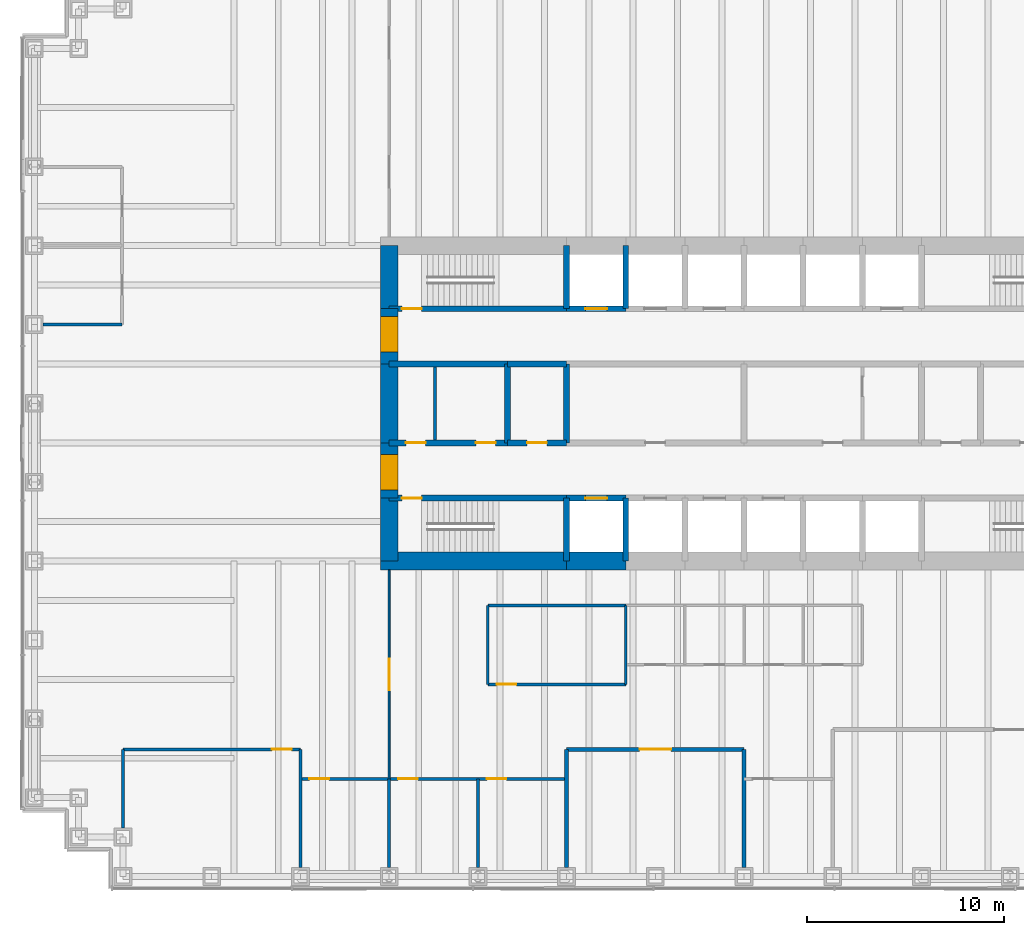
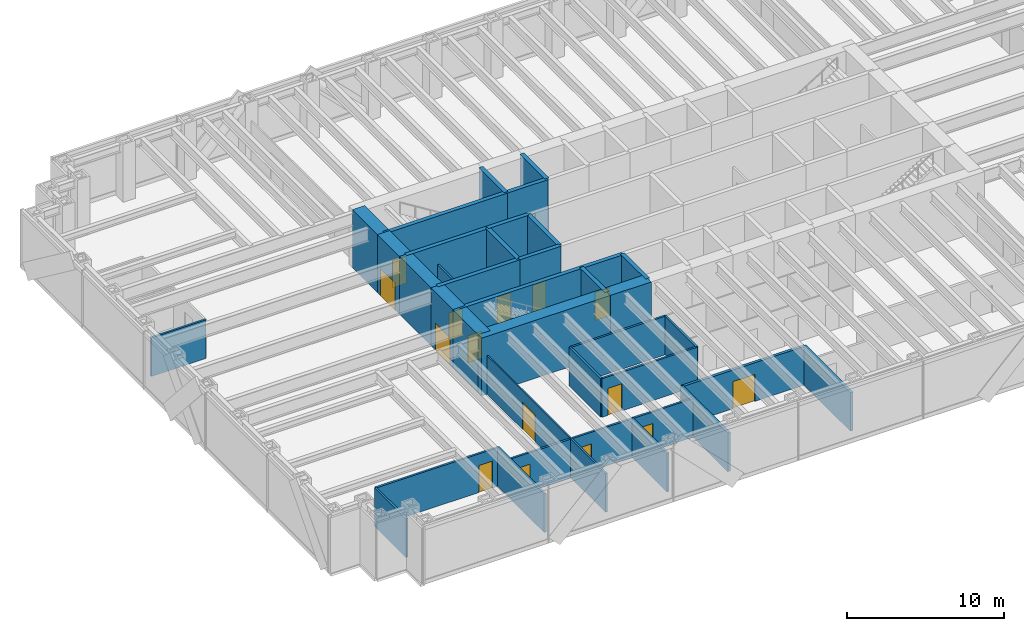
# One storey, part 9 of 13: 37 walls, 16 doors, 16 openings.
"""IFC4 building model written with IfcOpenShell, lengths in metres."""

from ifc_helpers import new_model, si_unit, direction, frame, frame_2d, origin, place, context, subcontext, project, spatial, rectangle, extrude, material, layer, layer_set, type_object, element, fill, save


model = new_model("IFC4")

# Units and contexts
model_context = context("Model", 3, precision=1e-05, world=origin(), true_north=direction((0.0, 1.0)))
body_context = subcontext(model_context, "Body", "Model", "MODEL_VIEW")
ifc_project = project(units=[si_unit("LENGTHUNIT", "METRE"), si_unit("AREAUNIT", "SQUARE_METRE"), si_unit("VOLUMEUNIT", "CUBIC_METRE"), si_unit("PLANEANGLEUNIT", "RADIAN"), si_unit("MASSUNIT", "GRAM", prefix="KILO")], contexts=[model_context])

# Site, building, storey
site_placement = place(None, origin())
site = spatial("IfcSite", under=ifc_project, at=site_placement, CompositionType="ELEMENT")
building_placement = place(site_placement, origin())
building = spatial("IfcBuilding", under=site, at=building_placement, Name="Rheinbord Bourse Tower", CompositionType="ELEMENT")
storey_placement = place(building_placement, frame((0.0, 0.0, 41.0)))
storey = spatial("IfcBuildingStorey", under=building, at=storey_placement, Name="L08", CompositionType="ELEMENT", Elevation=41.0)

# Wall, opening, door
ifc_material_1 = material(Name="Acoustic gypsum board partition", Category="gypsum board")
ifc_layer_1 = layer(ifc_material_1, 0.199951171875)
ifc_layer_set_1 = layer_set([ifc_layer_1], Name="ACOUSTIC PARTITION 200")
wall_type_1 = type_object("IfcWallType", Name="ACOUSTIC PARTITION 200", PredefinedType="PARTITIONING", material=ifc_layer_set_1)
wall_1_placement = place(storey_placement, frame((27.0, 6.449951171875, 0.0), z_axis=(0.0, 0.0, 1.0), x_axis=(1.0, 0.0, 0.0)))
wall_1 = element("IfcWall", 1, at=wall_1_placement, inside=storey, type_object=wall_type_1, Name="Partition L08-04", PredefinedType="PARTITIONING", context=body_context, shape_type="SweptSolid", body=[
    extrude(rectangle(XDim=9.0, YDim=0.199951171875, at=frame_2d((4.5, 0.0))), origin(), (0.0, 0.0, 1.0), 3.0),
])
opening_1_placement = place(wall_1_placement, frame((3.699951171875, 0.0, 0.0)))
opening_1 = element("IfcOpeningElement", 2, at=opening_1_placement, cuts=wall_1, Name="Opening 08D06", PredefinedType="OPENING", context=body_context, shape_type="SweptSolid", body=[
    extrude(rectangle(XDim=1.60009765625, YDim=2.10009765625, at=frame_2d((0.800048828125, 1.050048828125))), frame((0.0, 0.10986328125, 0.0), z_axis=(0.0, -1.0, 0.0), x_axis=(1.0, 0.0, 0.0)), (0.0, 0.0, 1.0), 0.219970703125),
])
ifc_material_2 = material(Name="Timber door", Category="wood")
door_type_1 = type_object("IfcDoorType", Name="DOUBLE ROOM DOOR 1600", OperationType="DOUBLE_DOOR_DOUBLE_SWING", PredefinedType="DOOR", material=ifc_material_2)
door_1_placement = place(opening_1_placement, origin())
door_1 = element("IfcDoor", 3, at=door_1_placement, inside=storey, type_object=door_type_1, Name="Risk room door L08", OperationType="SINGLE_SWING_LEFT", OverallHeight=2.10009765625, OverallWidth=1.60009765625, PredefinedType="DOOR", context=body_context, shape_type="SweptSolid", body=[
    extrude(rectangle(XDim=1.60009765625, YDim=2.10009765625, at=frame_2d((0.800048828125, 1.050048828125))), frame((0.0, 0.02490234375, 0.0), z_axis=(0.0, -1.0, 0.0), x_axis=(1.0, 0.0, 0.0)), (0.0, 0.0, 1.0), 0.050048828125),
])
fill(opening_1, door_1)

# Walls
for number, where, z_axis, x_axis, name in (
    (4, (27.0, 0.449951171875, 0.0), (0.0, 0.0, 1.0), (0.0, 1.0, 0.0), "Partition L08-28"),
    (5, (36.0, 0.449951171875, 0.0), (0.0, 0.0, 1.0), (0.0, 1.0, 0.0), "Partition L08-31"),
):
    element("IfcWall", number, at=place(storey_placement, frame(where, z_axis=z_axis, x_axis=x_axis)), inside=storey, type_object=wall_type_1, Name=name, PredefinedType="PARTITIONING", context=body_context, shape_type="SweptSolid", body=[
        extrude(rectangle(XDim=6.0, YDim=0.199951171875, at=frame_2d((3.0, 0.0))), origin(), (0.0, 0.0, 1.0), 3.0),
    ])

# Wall, opening, door
ifc_material_3 = material(Name="Concrete C50/60", Category="concrete")
ifc_layer_2 = layer(ifc_material_3, 0.300048828125)
ifc_layer_set_2 = layer_set([ifc_layer_2], Name="CORE INNER WALL 300")
wall_type_2 = type_object("IfcWallType", Name="CORE INNER WALL 300", PredefinedType="SOLIDWALL", material=ifc_layer_set_2)
wall_2_placement = place(storey_placement, frame((18.0, 19.199951171875, 0.0), z_axis=(0.0, 0.0, 1.0), x_axis=(1.0, 0.0, 0.0)))
wall_2 = element("IfcWall", 6, at=wall_2_placement, inside=storey, type_object=wall_type_2, Name="Core wall A1 L08", PredefinedType="SOLIDWALL", context=body_context, shape_type="SweptSolid", body=[
    extrude(rectangle(XDim=9.0, YDim=0.300048828125, at=frame_2d((4.5, 0.0))), origin(), (0.0, 0.0, 1.0), 4.5),
])
opening_2_placement = place(wall_2_placement, frame((0.64990234375, 0.0, 0.0)))
opening_2 = element("IfcOpeningElement", 7, at=opening_2_placement, cuts=wall_2, Name="Opening 0810", PredefinedType="OPENING", context=body_context, shape_type="SweptSolid", body=[
    extrude(rectangle(XDim=1.0, YDim=2.10009765625, at=frame_2d((0.5, 1.050048828125))), frame((0.0, 0.159912109375, 0.0), z_axis=(0.0, -1.0, 0.0), x_axis=(1.0, 0.0, 0.0)), (0.0, 0.0, 1.0), 0.320068359375),
])
ifc_material_4 = material(Name="Steel door", Category="steel")
door_type_2 = type_object("IfcDoorType", Name="DOOR 1000 EI30", OperationType="SINGLE_SWING_LEFT", PredefinedType="DOOR", material=ifc_material_4)
door_2_placement = place(opening_2_placement, origin())
door_2 = element("IfcDoor", 8, at=door_2_placement, inside=storey, type_object=door_type_2, Name="Stair door ST1 L08", OperationType="SINGLE_SWING_LEFT", OverallHeight=2.10009765625, OverallWidth=1.0, PredefinedType="DOOR", context=body_context, shape_type="SweptSolid", body=[
    extrude(rectangle(XDim=1.0, YDim=2.10009765625, at=frame_2d((0.5, 1.050048828125))), frame((0.0, 0.02490234375, 0.0), z_axis=(0.0, -1.0, 0.0), x_axis=(1.0, 0.0, 0.0)), (0.0, 0.0, 1.0), 0.050048828125),
])
fill(opening_2, door_2)

wall_3_placement = place(storey_placement, frame((27.0, 19.199951171875, 0.0), z_axis=(0.0, 0.0, 1.0), x_axis=(1.0, 0.0, 0.0)))
wall_3 = element("IfcWall", 9, at=wall_3_placement, inside=storey, type_object=wall_type_2, Name="Core wall A2 L08", PredefinedType="SOLIDWALL", context=body_context, shape_type="SweptSolid", body=[
    extrude(rectangle(XDim=3.0, YDim=0.300048828125, at=frame_2d((1.5, 0.0))), origin(), (0.0, 0.0, 1.0), 4.5),
])
opening_3_placement = place(wall_3_placement, frame((0.949951171875, 0.0, 0.0)))
opening_3 = element("IfcOpeningElement", 10, at=opening_3_placement, cuts=wall_3, Name="Opening FL1", PredefinedType="OPENING", context=body_context, shape_type="SweptSolid", body=[
    extrude(rectangle(XDim=1.10009765625, YDim=2.199951171875, at=frame_2d((0.550048828125, 1.10009765625))), frame((0.0, 0.159912109375, 0.0), z_axis=(0.0, -1.0, 0.0), x_axis=(1.0, 0.0, 0.0)), (0.0, 0.0, 1.0), 0.320068359375),
])
ifc_material_5 = material(Name="Steel landing door", Category="steel")
door_type_3 = type_object("IfcDoorType", Name="LIFT LANDING DOOR 1100", OperationType="DOUBLE_DOOR_SLIDING", PredefinedType="USERDEFINED", material=ifc_material_5)
door_3_placement = place(opening_3_placement, origin())
door_3 = element("IfcDoor", 11, at=door_3_placement, inside=storey, type_object=door_type_3, Name="Lift landing door FL1 L08", ObjectType="LIFT LANDING DOOR", OperationType="DOUBLE_DOOR_SLIDING", OverallHeight=2.199951171875, OverallWidth=1.10009765625, PredefinedType="USERDEFINED", context=body_context, shape_type="SweptSolid", body=[
    extrude(rectangle(XDim=1.10009765625, YDim=2.199951171875, at=frame_2d((0.550048828125, 1.10009765625))), frame((0.0, 0.02490234375, 0.0), z_axis=(0.0, -1.0, 0.0), x_axis=(1.0, 0.0, 0.0)), (0.0, 0.0, 1.0), 0.050048828125),
])
fill(opening_3, door_3)

wall_4_placement = place(storey_placement, frame((18.0, 28.800048828125, 0.0), z_axis=(0.0, 0.0, 1.0), x_axis=(1.0, 0.0, 0.0)))
wall_4 = element("IfcWall", 12, at=wall_4_placement, inside=storey, type_object=wall_type_2, Name="Core wall B1 L08", PredefinedType="SOLIDWALL", context=body_context, shape_type="SweptSolid", body=[
    extrude(rectangle(XDim=9.0, YDim=0.300048828125, at=frame_2d((4.5, 0.0))), origin(), (0.0, 0.0, 1.0), 4.5),
])
opening_4_placement = place(wall_4_placement, frame((0.64990234375, 0.0, 0.0)))
opening_4 = element("IfcOpeningElement", 13, at=opening_4_placement, cuts=wall_4, Name="Opening 0820", PredefinedType="OPENING", context=body_context, shape_type="SweptSolid", body=[
    extrude(rectangle(XDim=1.0, YDim=2.10009765625, at=frame_2d((0.5, 1.050048828125))), frame((0.0, 0.159912109375, 0.0), z_axis=(0.0, -1.0, 0.0), x_axis=(1.0, 0.0, 0.0)), (0.0, 0.0, 1.0), 0.320068359375),
])
door_4_placement = place(opening_4_placement, origin())
door_4 = element("IfcDoor", 14, at=door_4_placement, inside=storey, type_object=door_type_2, Name="Stair door ST2 L08", OperationType="SINGLE_SWING_LEFT", OverallHeight=2.10009765625, OverallWidth=1.0, PredefinedType="DOOR", context=body_context, shape_type="SweptSolid", body=[
    extrude(rectangle(XDim=1.0, YDim=2.10009765625, at=frame_2d((0.5, 1.050048828125))), frame((0.0, 0.02490234375, 0.0), z_axis=(0.0, -1.0, 0.0), x_axis=(1.0, 0.0, 0.0)), (0.0, 0.0, 1.0), 0.050048828125),
])
fill(opening_4, door_4)

wall_5_placement = place(storey_placement, frame((27.0, 28.800048828125, 0.0), z_axis=(0.0, 0.0, 1.0), x_axis=(1.0, 0.0, 0.0)))
wall_5 = element("IfcWall", 15, at=wall_5_placement, inside=storey, type_object=wall_type_2, Name="Core wall B2 L08", PredefinedType="SOLIDWALL", context=body_context, shape_type="SweptSolid", body=[
    extrude(rectangle(XDim=3.0, YDim=0.300048828125, at=frame_2d((1.5, 0.0))), origin(), (0.0, 0.0, 1.0), 4.5),
])
opening_5_placement = place(wall_5_placement, frame((0.949951171875, 0.0, 0.0)))
opening_5 = element("IfcOpeningElement", 16, at=opening_5_placement, cuts=wall_5, Name="Opening GL1", PredefinedType="OPENING", context=body_context, shape_type="SweptSolid", body=[
    extrude(rectangle(XDim=1.10009765625, YDim=2.199951171875, at=frame_2d((0.550048828125, 1.10009765625))), frame((0.0, 0.159912109375, 0.0), z_axis=(0.0, -1.0, 0.0), x_axis=(1.0, 0.0, 0.0)), (0.0, 0.0, 1.0), 0.320068359375),
])
door_5_placement = place(opening_5_placement, origin())
door_5 = element("IfcDoor", 17, at=door_5_placement, inside=storey, type_object=door_type_3, Name="Lift landing door GL1 L08", ObjectType="LIFT LANDING DOOR", OperationType="DOUBLE_DOOR_SLIDING", OverallHeight=2.199951171875, OverallWidth=1.10009765625, PredefinedType="USERDEFINED", context=body_context, shape_type="SweptSolid", body=[
    extrude(rectangle(XDim=1.10009765625, YDim=2.199951171875, at=frame_2d((0.550048828125, 1.10009765625))), frame((0.0, 0.02490234375, 0.0), z_axis=(0.0, -1.0, 0.0), x_axis=(1.0, 0.0, 0.0)), (0.0, 0.0, 1.0), 0.050048828125),
])
fill(opening_5, door_5)

# Wall, openings, doors
wall_6_placement = place(storey_placement, frame((18.0, 22.0, 0.0), z_axis=(0.0, 0.0, 1.0), x_axis=(1.0, 0.0, 0.0)))
wall_6 = element("IfcWall", 18, at=wall_6_placement, inside=storey, type_object=wall_type_2, Name="Core wall C1 L08", PredefinedType="SOLIDWALL", context=body_context, shape_type="SweptSolid", body=[
    extrude(rectangle(XDim=6.0, YDim=0.300048828125, at=frame_2d((3.0, 0.0))), origin(), (0.0, 0.0, 1.0), 4.5),
])
opening_6_placement = place(wall_6_placement, frame((4.39990234375, 0.0, 0.0)))
opening_6 = element("IfcOpeningElement", 19, at=opening_6_placement, cuts=wall_6, Name="Opening 08R1", PredefinedType="OPENING", context=body_context, shape_type="SweptSolid", body=[
    extrude(rectangle(XDim=1.0, YDim=2.10009765625, at=frame_2d((0.5, 1.050048828125))), frame((0.0, 0.159912109375, 0.0), z_axis=(0.0, -1.0, 0.0), x_axis=(1.0, 0.0, 0.0)), (0.0, 0.0, 1.0), 0.320068359375),
])
opening_7_placement = place(wall_6_placement, frame((0.85009765625, 0.0, 0.0)))
opening_7 = element("IfcOpeningElement", 20, at=opening_7_placement, cuts=wall_6, Name="Opening 08R9", PredefinedType="OPENING", context=body_context, shape_type="SweptSolid", body=[
    extrude(rectangle(XDim=1.0, YDim=2.10009765625, at=frame_2d((0.5, 1.050048828125))), frame((0.0, 0.159912109375, 0.0), z_axis=(0.0, -1.0, 0.0), x_axis=(1.0, 0.0, 0.0)), (0.0, 0.0, 1.0), 0.320068359375),
])
door_6_placement = place(opening_7_placement, origin())
door_6 = element("IfcDoor", 21, at=door_6_placement, inside=storey, type_object=door_type_2, Name="Staff shower door L08", OperationType="SINGLE_SWING_LEFT", OverallHeight=2.10009765625, OverallWidth=1.0, PredefinedType="DOOR", context=body_context, shape_type="SweptSolid", body=[
    extrude(rectangle(XDim=1.0, YDim=2.10009765625, at=frame_2d((0.5, 1.050048828125))), frame((0.0, 0.02490234375, 0.0), z_axis=(0.0, -1.0, 0.0), x_axis=(1.0, 0.0, 0.0)), (0.0, 0.0, 1.0), 0.050048828125),
])
fill(opening_7, door_6)
ifc_material_6 = material(Name="Timber door", Category="wood")
door_type_4 = type_object("IfcDoorType", Name="DOOR 1000 WC", OperationType="SINGLE_SWING_LEFT", PredefinedType="DOOR", material=ifc_material_6)
door_7_placement = place(opening_6_placement, origin())
door_7 = element("IfcDoor", 22, at=door_7_placement, inside=storey, type_object=door_type_4, Name="WC men door L08", OperationType="SINGLE_SWING_RIGHT", OverallHeight=2.10009765625, OverallWidth=1.0, PredefinedType="DOOR", context=body_context, shape_type="SweptSolid", body=[
    extrude(rectangle(XDim=1.0, YDim=2.10009765625, at=frame_2d((0.5, 1.050048828125))), frame((0.0, 0.02490234375, 0.0), z_axis=(0.0, -1.0, 0.0), x_axis=(1.0, 0.0, 0.0)), (0.0, 0.0, 1.0), 0.050048828125),
])
fill(opening_6, door_7)

# Wall, opening, door
wall_7_placement = place(storey_placement, frame((24.0, 22.0, 0.0), z_axis=(0.0, 0.0, 1.0), x_axis=(1.0, 0.0, 0.0)))
wall_7 = element("IfcWall", 23, at=wall_7_placement, inside=storey, type_object=wall_type_2, Name="Core wall C2 L08", PredefinedType="SOLIDWALL", context=body_context, shape_type="SweptSolid", body=[
    extrude(rectangle(XDim=3.0, YDim=0.300048828125, at=frame_2d((1.5, 0.0))), origin(), (0.0, 0.0, 1.0), 4.5),
])
opening_8_placement = place(wall_7_placement, frame((1.0, 0.0, 0.0)))
opening_8 = element("IfcOpeningElement", 24, at=opening_8_placement, cuts=wall_7, Name="Opening 08R2", PredefinedType="OPENING", context=body_context, shape_type="SweptSolid", body=[
    extrude(rectangle(XDim=1.0, YDim=2.10009765625, at=frame_2d((0.5, 1.050048828125))), frame((0.0, 0.159912109375, 0.0), z_axis=(0.0, -1.0, 0.0), x_axis=(1.0, 0.0, 0.0)), (0.0, 0.0, 1.0), 0.320068359375),
])
door_8_placement = place(opening_8_placement, origin())
door_8 = element("IfcDoor", 25, at=door_8_placement, inside=storey, type_object=door_type_4, Name="Accessible WC door L08", OperationType="SINGLE_SWING_LEFT", OverallHeight=2.10009765625, OverallWidth=1.0, PredefinedType="DOOR", context=body_context, shape_type="SweptSolid", body=[
    extrude(rectangle(XDim=1.0, YDim=2.10009765625, at=frame_2d((0.5, 1.050048828125))), frame((0.0, 0.02490234375, 0.0), z_axis=(0.0, -1.0, 0.0), x_axis=(1.0, 0.0, 0.0)), (0.0, 0.0, 1.0), 0.050048828125),
])
fill(opening_8, door_8)

# Walls
wall_8_placement = place(storey_placement, frame((18.0, 26.0, 0.0), z_axis=(0.0, 0.0, 1.0), x_axis=(1.0, 0.0, 0.0)))
element("IfcWall", 26, at=wall_8_placement, inside=storey, type_object=wall_type_2, Name="Core wall D1 L08", PredefinedType="SOLIDWALL", context=body_context, shape_type="SweptSolid", body=[
    extrude(rectangle(XDim=6.0, YDim=0.300048828125, at=frame_2d((3.0, 0.0))), origin(), (0.0, 0.0, 1.0), 4.5),
])
wall_9_placement = place(storey_placement, frame((24.0, 26.0, 0.0), z_axis=(0.0, 0.0, 1.0), x_axis=(1.0, 0.0, 0.0)))
element("IfcWall", 27, at=wall_9_placement, inside=storey, type_object=wall_type_2, Name="Core wall D2 L08", PredefinedType="SOLIDWALL", context=body_context, shape_type="SweptSolid", body=[
    extrude(rectangle(XDim=3.0, YDim=0.300048828125, at=frame_2d((1.5, 0.0))), origin(), (0.0, 0.0, 1.0), 4.5),
])
for number, where, z_axis, x_axis, name in (
    (28, (27.0, 16.0, 0.0), (0.0, 0.0, 1.0), (0.0, 1.0, 0.0), "Core wall SX27 L08"),
    (29, (27.0, 28.800048828125, 0.0), (0.0, 0.0, 1.0), (0.0, 1.0, 0.0), "Core wall NX27 L08"),
    (30, (30.0, 16.0, 0.0), (0.0, 0.0, 1.0), (0.0, 1.0, 0.0), "Core wall SX30 L08"),
    (31, (30.0, 28.800048828125, 0.0), (0.0, 0.0, 1.0), (0.0, 1.0, 0.0), "Core wall NX30 L08"),
):
    element("IfcWall", number, at=place(storey_placement, frame(where, z_axis=z_axis, x_axis=x_axis)), inside=storey, type_object=wall_type_2, Name=name, PredefinedType="SOLIDWALL", context=body_context, shape_type="SweptSolid", body=[
        extrude(rectangle(XDim=3.199951171875, YDim=0.300048828125, at=frame_2d((1.60009765625, 0.0))), origin(), (0.0, 0.0, 1.0), 4.5),
    ])
for number, where, z_axis, x_axis, name in (
    (32, (24.0, 22.0, 0.0), (0.0, 0.0, 1.0), (0.0, 1.0, 0.0), "Core wall MX24 L08"),
    (33, (27.0, 22.0, 0.0), (0.0, 0.0, 1.0), (0.0, 1.0, 0.0), "Core wall MX27 L08"),
):
    element("IfcWall", number, at=place(storey_placement, frame(where, z_axis=z_axis, x_axis=x_axis)), inside=storey, type_object=wall_type_2, Name=name, PredefinedType="SOLIDWALL", context=body_context, shape_type="SweptSolid", body=[
        extrude(rectangle(XDim=4.0, YDim=0.300048828125, at=frame_2d((2.0, 0.0))), origin(), (0.0, 0.0, 1.0), 4.5),
    ])
ifc_material_7 = material(Name="Gypsum board fire partition", Category="gypsum board")
ifc_layer_3 = layer(ifc_material_7, 0.14990234375)
ifc_layer_set_3 = layer_set([ifc_layer_3], Name="CORE PARTITION 150 EI30")
wall_type_3 = type_object("IfcWallType", Name="CORE PARTITION 150 EI30", PredefinedType="PARTITIONING", material=ifc_layer_set_3)
wall_10_placement = place(storey_placement, frame((20.324951171875, 22.14990234375, 0.0), z_axis=(0.0, 0.0, 1.0), x_axis=(0.0, 1.0, 0.0)))
element("IfcWall", 34, at=wall_10_placement, inside=storey, type_object=wall_type_3, Name="Core partition L08-2", PredefinedType="PARTITIONING", context=body_context, shape_type="SweptSolid", body=[
    extrude(rectangle(XDim=3.7001953125, YDim=0.14990234375, at=frame_2d((1.85009765625, 0.0))), origin(), (0.0, 0.0, 1.0), 3.0),
])
ifc_material_8 = material(Name="Concrete C50/60", Category="concrete")
ifc_layer_4 = layer(ifc_material_8, 0.89990234375)
ifc_layer_set_4 = layer_set([ifc_layer_4], Name="CORE WALL 900")
wall_type_4 = type_object("IfcWallType", Name="CORE WALL 900", PredefinedType="SHEAR", material=ifc_layer_set_4)
wall_11_placement = place(storey_placement, frame((17.550048828125, 16.0, 0.0), z_axis=(0.0, 0.0, 1.0), x_axis=(1.0, 0.0, 0.0)))
element("IfcWall", 35, at=wall_11_placement, inside=storey, type_object=wall_type_4, Name="Core wall S1 L08", PredefinedType="SHEAR", context=body_context, shape_type="SweptSolid", body=[
    extrude(rectangle(XDim=9.449951171875, YDim=0.89990234375, at=frame_2d((4.72509765625, 0.0))), origin(), (0.0, 0.0, 1.0), 4.5),
])
wall_12_placement = place(storey_placement, frame((27.0, 16.0, 0.0), z_axis=(0.0, 0.0, 1.0), x_axis=(1.0, 0.0, 0.0)))
element("IfcWall", 36, at=wall_12_placement, inside=storey, type_object=wall_type_4, Name="Core wall S2 L08", PredefinedType="SHEAR", context=body_context, shape_type="SweptSolid", body=[
    extrude(rectangle(XDim=3.0, YDim=0.89990234375, at=frame_2d((1.5, 0.0))), origin(), (0.0, 0.0, 1.0), 4.5),
])
wall_13_placement = place(storey_placement, frame((18.0, 32.0, 0.0), z_axis=(0.0, 0.0, 1.0), x_axis=(0.0, -1.0, 0.0)))
element("IfcWall", 37, at=wall_13_placement, inside=storey, type_object=wall_type_4, Name="Core wall W1 L08", PredefinedType="SHEAR", context=body_context, shape_type="SweptSolid", body=[
    extrude(rectangle(XDim=3.199951171875, YDim=0.89990234375, at=frame_2d((1.60009765625, 0.0))), origin(), (0.0, 0.0, 1.0), 4.5),
])

# Wall, opening, door
wall_14_placement = place(storey_placement, frame((18.0, 28.800048828125, 0.0), z_axis=(0.0, 0.0, 1.0), x_axis=(0.0, -1.0, 0.0)))
wall_14 = element("IfcWall", 38, at=wall_14_placement, inside=storey, type_object=wall_type_4, Name="Core wall W2 L08", PredefinedType="SHEAR", context=body_context, shape_type="SweptSolid", body=[
    extrude(rectangle(XDim=2.800048828125, YDim=0.89990234375, at=frame_2d((1.39990234375, 0.0))), origin(), (0.0, 0.0, 1.0), 4.5),
])
opening_9_placement = place(wall_14_placement, frame((0.39990234375, 0.0, 0.0)))
opening_9 = element("IfcOpeningElement", 39, at=opening_9_placement, cuts=wall_14, Name="Opening 08L2", PredefinedType="OPENING", context=body_context, shape_type="SweptSolid", body=[
    extrude(rectangle(XDim=1.800048828125, YDim=2.10009765625, at=frame_2d((0.89990234375, 1.050048828125))), frame((0.0, 0.4599609375, 0.0), z_axis=(0.0, -1.0, 0.0), x_axis=(1.0, 0.0, 0.0)), (0.0, 0.0, 1.0), 0.919921875),
])
ifc_material_9 = material(Name="Steel door", Category="steel")
door_type_5 = type_object("IfcDoorType", Name="DOOR 1800 EI30 DOUBLE", OperationType="DOUBLE_DOOR_DOUBLE_SWING", PredefinedType="DOOR", material=ifc_material_9)
door_9_placement = place(opening_9_placement, origin())
door_9 = element("IfcDoor", 40, at=door_9_placement, inside=storey, type_object=door_type_5, Name="Lobby door 2 L08", OperationType="SINGLE_SWING_LEFT", OverallHeight=2.10009765625, OverallWidth=1.800048828125, PredefinedType="DOOR", context=body_context, shape_type="SweptSolid", body=[
    extrude(rectangle(XDim=1.800048828125, YDim=2.10009765625, at=frame_2d((0.89990234375, 1.050048828125))), frame((0.0, 0.44970703125, 0.0), z_axis=(0.0, -1.0, 0.0), x_axis=(1.0, 0.0, 0.0)), (0.0, 0.0, 1.0), 0.8994140625),
])
fill(opening_9, door_9)

# Wall
wall_15_placement = place(storey_placement, frame((18.0, 26.0, 0.0), z_axis=(0.0, 0.0, 1.0), x_axis=(0.0, -1.0, 0.0)))
element("IfcWall", 41, at=wall_15_placement, inside=storey, type_object=wall_type_4, Name="Core wall W3 L08", PredefinedType="SHEAR", context=body_context, shape_type="SweptSolid", body=[
    extrude(rectangle(XDim=4.0, YDim=0.89990234375, at=frame_2d((2.0, 0.0))), origin(), (0.0, 0.0, 1.0), 4.5),
])

# Wall, opening, door
wall_16_placement = place(storey_placement, frame((18.0, 22.0, 0.0), z_axis=(0.0, 0.0, 1.0), x_axis=(0.0, -1.0, 0.0)))
wall_16 = element("IfcWall", 42, at=wall_16_placement, inside=storey, type_object=wall_type_4, Name="Core wall W4 L08", PredefinedType="SHEAR", context=body_context, shape_type="SweptSolid", body=[
    extrude(rectangle(XDim=2.800048828125, YDim=0.89990234375, at=frame_2d((1.39990234375, 0.0))), origin(), (0.0, 0.0, 1.0), 4.5),
])
opening_10_placement = place(wall_16_placement, frame((0.60009765625, 0.0, 0.0)))
opening_10 = element("IfcOpeningElement", 43, at=opening_10_placement, cuts=wall_16, Name="Opening 08L1", PredefinedType="OPENING", context=body_context, shape_type="SweptSolid", body=[
    extrude(rectangle(XDim=1.800048828125, YDim=2.10009765625, at=frame_2d((0.89990234375, 1.050048828125))), frame((0.0, 0.4599609375, 0.0), z_axis=(0.0, -1.0, 0.0), x_axis=(1.0, 0.0, 0.0)), (0.0, 0.0, 1.0), 0.919921875),
])
door_10_placement = place(opening_10_placement, origin())
door_10 = element("IfcDoor", 44, at=door_10_placement, inside=storey, type_object=door_type_5, Name="Lobby door 1 L08", OperationType="SINGLE_SWING_LEFT", OverallHeight=2.10009765625, OverallWidth=1.800048828125, PredefinedType="DOOR", context=body_context, shape_type="SweptSolid", body=[
    extrude(rectangle(XDim=1.800048828125, YDim=2.10009765625, at=frame_2d((0.89990234375, 1.050048828125))), frame((0.0, 0.44970703125, 0.0), z_axis=(0.0, -1.0, 0.0), x_axis=(1.0, 0.0, 0.0)), (0.0, 0.0, 1.0), 0.8994140625),
])
fill(opening_10, door_10)

# Wall
wall_17_placement = place(storey_placement, frame((18.0, 19.199951171875, 0.0), z_axis=(0.0, 0.0, 1.0), x_axis=(0.0, -1.0, 0.0)))
element("IfcWall", 45, at=wall_17_placement, inside=storey, type_object=wall_type_4, Name="Core wall W5 L08", PredefinedType="SHEAR", context=body_context, shape_type="SweptSolid", body=[
    extrude(rectangle(XDim=3.199951171875, YDim=0.89990234375, at=frame_2d((1.60009765625, 0.0))), origin(), (0.0, 0.0, 1.0), 4.5),
])

# Wall, opening, door
ifc_material_10 = material(Name="Gypsum board fire partition", Category="gypsum board")
ifc_layer_5 = layer(ifc_material_10, 0.14990234375)
ifc_layer_set_5 = layer_set([ifc_layer_5], Name="FIRE PARTITION 150 EI60")
wall_type_5 = type_object("IfcWallType", Name="FIRE PARTITION 150 EI60", PredefinedType="PARTITIONING", material=ifc_layer_set_5)
wall_18_placement = place(storey_placement, frame((23.0, 9.75, 0.0), z_axis=(0.0, 0.0, 1.0), x_axis=(1.0, 0.0, 0.0)))
wall_18 = element("IfcWall", 46, at=wall_18_placement, inside=storey, type_object=wall_type_5, Name="Partition L08-07", PredefinedType="PARTITIONING", context=body_context, shape_type="SweptSolid", body=[
    extrude(rectangle(XDim=7.0, YDim=0.14990234375, at=frame_2d((3.5, 0.0))), origin(), (0.0, 0.0, 1.0), 3.0),
])
opening_11_placement = place(wall_18_placement, frame((0.449951171875, 0.0, 0.0)))
opening_11 = element("IfcOpeningElement", 47, at=opening_11_placement, cuts=wall_18, Name="Opening 08D09", PredefinedType="OPENING", context=body_context, shape_type="SweptSolid", body=[
    extrude(rectangle(XDim=1.0, YDim=2.10009765625, at=frame_2d((0.5, 1.050048828125))), frame((0.0, 0.0849609375, 0.0), z_axis=(0.0, -1.0, 0.0), x_axis=(1.0, 0.0, 0.0)), (0.0, 0.0, 1.0), 0.169921875),
])
ifc_material_11 = material(Name="Timber fire door", Category="wood")
door_type_6 = type_object("IfcDoorType", Name="FIRE DOOR 1000 EI60", OperationType="SINGLE_SWING_LEFT", PredefinedType="DOOR", material=ifc_material_11)
door_11_placement = place(opening_11_placement, origin())
door_11 = element("IfcDoor", 48, at=door_11_placement, inside=storey, type_object=door_type_6, Name="Comms room door L08", OperationType="SINGLE_SWING_LEFT", OverallHeight=2.10009765625, OverallWidth=1.0, PredefinedType="DOOR", context=body_context, shape_type="SweptSolid", body=[
    extrude(rectangle(XDim=1.0, YDim=2.10009765625, at=frame_2d((0.5, 1.050048828125))), frame((0.0, 0.02490234375, 0.0), z_axis=(0.0, -1.0, 0.0), x_axis=(1.0, 0.0, 0.0)), (0.0, 0.0, 1.0), 0.050048828125),
])
fill(opening_11, door_11)

# Walls
wall_19_placement = place(storey_placement, frame((23.0, 13.75, 0.0), z_axis=(0.0, 0.0, 1.0), x_axis=(1.0, 0.0, 0.0)))
element("IfcWall", 49, at=wall_19_placement, inside=storey, type_object=wall_type_5, Name="Partition L08-10", PredefinedType="PARTITIONING", context=body_context, shape_type="SweptSolid", body=[
    extrude(rectangle(XDim=7.0, YDim=0.14990234375, at=frame_2d((3.5, 0.0))), origin(), (0.0, 0.0, 1.0), 3.0),
])
for number, where, z_axis, x_axis, name in (
    (50, (23.0, 9.75, 0.0), (0.0, 0.0, 1.0), (0.0, 1.0, 0.0), "Partition L08-27"),
    (51, (30.0, 9.75, 0.0), (0.0, 0.0, 1.0), (0.0, 1.0, 0.0), "Partition L08-29"),
):
    element("IfcWall", number, at=place(storey_placement, frame(where, z_axis=z_axis, x_axis=x_axis)), inside=storey, type_object=wall_type_5, Name=name, PredefinedType="PARTITIONING", context=body_context, shape_type="SweptSolid", body=[
        extrude(rectangle(XDim=4.0, YDim=0.14990234375, at=frame_2d((2.0, 0.0))), origin(), (0.0, 0.0, 1.0), 3.0),
    ])

# Wall, opening, door
ifc_material_12 = material(Name="Toughened laminated glass partition", Category="glass")
ifc_layer_6 = layer(ifc_material_12, 0.10009765625)
ifc_layer_set_6 = layer_set([ifc_layer_6], Name="GLAZED PARTITION 100")
wall_type_6 = type_object("IfcWallType", Name="GLAZED PARTITION 100", PredefinedType="PARTITIONING", material=ifc_layer_set_6)
wall_20_placement = place(storey_placement, frame((18.0, 4.949951171875, 0.0), z_axis=(0.0, 0.0, 1.0), x_axis=(0.0, 1.0, 0.0)))
wall_20 = element("IfcWall", 52, at=wall_20_placement, inside=storey, type_object=wall_type_6, Name="Partition L08-24", PredefinedType="PARTITIONING", context=body_context, shape_type="SweptSolid", body=[
    extrude(rectangle(XDim=10.60009765625, YDim=0.10009765625, at=frame_2d((5.300048828125, 0.0))), origin(), (0.0, 0.0, 1.0), 3.0),
])
opening_12_placement = place(wall_20_placement, frame((4.5, 0.0, 0.0)))
opening_12 = element("IfcOpeningElement", 53, at=opening_12_placement, cuts=wall_20, Name="Opening 08D20", PredefinedType="OPENING", context=body_context, shape_type="SweptSolid", body=[
    extrude(rectangle(XDim=1.60009765625, YDim=2.10009765625, at=frame_2d((0.800048828125, 1.050048828125))), frame((0.0, 0.06005859375, 0.0), z_axis=(0.0, -1.0, 0.0), x_axis=(1.0, 0.0, 0.0)), (0.0, 0.0, 1.0), 0.1201171875),
])
door_12_placement = place(opening_12_placement, origin())
door_12 = element("IfcDoor", 54, at=door_12_placement, inside=storey, type_object=door_type_1, Name="Open area door L08", OperationType="SINGLE_SWING_LEFT", OverallHeight=2.10009765625, OverallWidth=1.60009765625, PredefinedType="DOOR", context=body_context, shape_type="SweptSolid", body=[
    extrude(rectangle(XDim=1.60009765625, YDim=2.10009765625, at=frame_2d((0.800048828125, 1.050048828125))), frame((0.0, 0.02490234375, 0.0), z_axis=(0.0, -1.0, 0.0), x_axis=(1.0, 0.0, 0.0)), (0.0, 0.0, 1.0), 0.050048828125),
])
fill(opening_12, door_12)

# Wall, openings, doors
ifc_material_13 = material(Name="Gypsum board partition", Category="gypsum board")
ifc_layer_7 = layer(ifc_material_13, 0.14990234375)
ifc_layer_set_7 = layer_set([ifc_layer_7], Name="PARTITION 150")
wall_type_7 = type_object("IfcWallType", Name="PARTITION 150", PredefinedType="PARTITIONING", material=ifc_layer_set_7)
wall_21_placement = place(storey_placement, frame((13.5, 4.949951171875, 0.0), z_axis=(0.0, 0.0, 1.0), x_axis=(1.0, 0.0, 0.0)))
wall_21 = element("IfcWall", 55, at=wall_21_placement, inside=storey, type_object=wall_type_7, Name="Partition L08-01", PredefinedType="PARTITIONING", context=body_context, shape_type="SweptSolid", body=[
    extrude(rectangle(XDim=13.5, YDim=0.14990234375, at=frame_2d((6.75, 0.0))), origin(), (0.0, 0.0, 1.0), 3.0),
])
opening_13_placement = place(wall_21_placement, frame((0.449951171875, 0.0, 0.0)))
opening_13 = element("IfcOpeningElement", 56, at=opening_13_placement, cuts=wall_21, Name="Opening 08D01", PredefinedType="OPENING", context=body_context, shape_type="SweptSolid", body=[
    extrude(rectangle(XDim=1.0, YDim=2.10009765625, at=frame_2d((0.5, 1.050048828125))), frame((0.0, 0.0849609375, 0.0), z_axis=(0.0, -1.0, 0.0), x_axis=(1.0, 0.0, 0.0)), (0.0, 0.0, 1.0), 0.169921875),
])
opening_14_placement = place(wall_21_placement, frame((4.949951171875, 0.0, 0.0)))
opening_14 = element("IfcOpeningElement", 57, at=opening_14_placement, cuts=wall_21, Name="Opening 08D02", PredefinedType="OPENING", context=body_context, shape_type="SweptSolid", body=[
    extrude(rectangle(XDim=1.0, YDim=2.10009765625, at=frame_2d((0.5, 1.050048828125))), frame((0.0, 0.0849609375, 0.0), z_axis=(0.0, -1.0, 0.0), x_axis=(1.0, 0.0, 0.0)), (0.0, 0.0, 1.0), 0.169921875),
])
opening_15_placement = place(wall_21_placement, frame((9.449951171875, 0.0, 0.0)))
opening_15 = element("IfcOpeningElement", 58, at=opening_15_placement, cuts=wall_21, Name="Opening 08D03", PredefinedType="OPENING", context=body_context, shape_type="SweptSolid", body=[
    extrude(rectangle(XDim=1.0, YDim=2.10009765625, at=frame_2d((0.5, 1.050048828125))), frame((0.0, 0.0849609375, 0.0), z_axis=(0.0, -1.0, 0.0), x_axis=(1.0, 0.0, 0.0)), (0.0, 0.0, 1.0), 0.169921875),
])
ifc_material_14 = material(Name="Timber door", Category="wood")
door_type_7 = type_object("IfcDoorType", Name="ROOM DOOR 1000", OperationType="SINGLE_SWING_LEFT", PredefinedType="DOOR", material=ifc_material_14)
door_13_placement = place(opening_13_placement, origin())
door_13 = element("IfcDoor", 59, at=door_13_placement, inside=storey, type_object=door_type_7, Name="Office door L08", OperationType="SINGLE_SWING_LEFT", OverallHeight=2.10009765625, OverallWidth=1.0, PredefinedType="DOOR", context=body_context, shape_type="SweptSolid", body=[
    extrude(rectangle(XDim=1.0, YDim=2.10009765625, at=frame_2d((0.5, 1.050048828125))), frame((0.0, 0.02490234375, 0.0), z_axis=(0.0, -1.0, 0.0), x_axis=(1.0, 0.0, 0.0)), (0.0, 0.0, 1.0), 0.050048828125),
])
fill(opening_13, door_13)
door_14_placement = place(opening_14_placement, origin())
door_14 = element("IfcDoor", 60, at=door_14_placement, inside=storey, type_object=door_type_7, Name="Office door L08", OperationType="SINGLE_SWING_LEFT", OverallHeight=2.10009765625, OverallWidth=1.0, PredefinedType="DOOR", context=body_context, shape_type="SweptSolid", body=[
    extrude(rectangle(XDim=1.0, YDim=2.10009765625, at=frame_2d((0.5, 1.050048828125))), frame((0.0, 0.02490234375, 0.0), z_axis=(0.0, -1.0, 0.0), x_axis=(1.0, 0.0, 0.0)), (0.0, 0.0, 1.0), 0.050048828125),
])
fill(opening_14, door_14)
door_15_placement = place(opening_15_placement, origin())
door_15 = element("IfcDoor", 61, at=door_15_placement, inside=storey, type_object=door_type_7, Name="Office door L08", OperationType="SINGLE_SWING_RIGHT", OverallHeight=2.10009765625, OverallWidth=1.0, PredefinedType="DOOR", context=body_context, shape_type="SweptSolid", body=[
    extrude(rectangle(XDim=1.0, YDim=2.10009765625, at=frame_2d((0.5, 1.050048828125))), frame((0.0, 0.02490234375, 0.0), z_axis=(0.0, -1.0, 0.0), x_axis=(1.0, 0.0, 0.0)), (0.0, 0.0, 1.0), 0.050048828125),
])
fill(opening_15, door_15)

# Wall, opening, door
wall_22_placement = place(storey_placement, frame((4.5, 6.449951171875, 0.0), z_axis=(0.0, 0.0, 1.0), x_axis=(1.0, 0.0, 0.0)))
wall_22 = element("IfcWall", 62, at=wall_22_placement, inside=storey, type_object=wall_type_7, Name="Partition L08-03", PredefinedType="PARTITIONING", context=body_context, shape_type="SweptSolid", body=[
    extrude(rectangle(XDim=9.0, YDim=0.14990234375, at=frame_2d((4.5, 0.0))), origin(), (0.0, 0.0, 1.0), 3.0),
])
opening_16_placement = place(wall_22_placement, frame((7.550048828125, 0.0, 0.0)))
opening_16 = element("IfcOpeningElement", 63, at=opening_16_placement, cuts=wall_22, Name="Opening 08D05", PredefinedType="OPENING", context=body_context, shape_type="SweptSolid", body=[
    extrude(rectangle(XDim=1.0, YDim=2.10009765625, at=frame_2d((0.5, 1.050048828125))), frame((0.0, 0.0849609375, 0.0), z_axis=(0.0, -1.0, 0.0), x_axis=(1.0, 0.0, 0.0)), (0.0, 0.0, 1.0), 0.169921875),
])
door_16_placement = place(opening_16_placement, origin())
door_16 = element("IfcDoor", 64, at=door_16_placement, inside=storey, type_object=door_type_7, Name="Head of trading office door L08", OperationType="SINGLE_SWING_RIGHT", OverallHeight=2.10009765625, OverallWidth=1.0, PredefinedType="DOOR", context=body_context, shape_type="SweptSolid", body=[
    extrude(rectangle(XDim=1.0, YDim=2.10009765625, at=frame_2d((0.5, 1.050048828125))), frame((0.0, 0.02490234375, 0.0), z_axis=(0.0, -1.0, 0.0), x_axis=(1.0, 0.0, 0.0)), (0.0, 0.0, 1.0), 0.050048828125),
])
fill(opening_16, door_16)

# Walls
for number, where, z_axis, x_axis, name in (
    (65, (0.449951171875, 28.0, 0.0), (0.0, 0.0, 1.0), (1.0, 0.0, 0.0), "Partition L08-14"),
    (66, (4.5, 2.449951171875, 0.0), (0.0, 0.0, 1.0), (0.0, 1.0, 0.0), "Partition L08-21"),
):
    element("IfcWall", number, at=place(storey_placement, frame(where, z_axis=z_axis, x_axis=x_axis)), inside=storey, type_object=wall_type_7, Name=name, PredefinedType="PARTITIONING", context=body_context, shape_type="SweptSolid", body=[
        extrude(rectangle(XDim=4.0, YDim=0.14990234375, at=frame_2d((2.0, 0.0))), origin(), (0.0, 0.0, 1.0), 3.0),
    ])
wall_23_placement = place(storey_placement, frame((13.5, 0.449951171875, 0.0), z_axis=(0.0, 0.0, 1.0), x_axis=(0.0, 1.0, 0.0)))
element("IfcWall", 67, at=wall_23_placement, inside=storey, type_object=wall_type_7, Name="Partition L08-22", PredefinedType="PARTITIONING", context=body_context, shape_type="SweptSolid", body=[
    extrude(rectangle(XDim=6.0, YDim=0.14990234375, at=frame_2d((3.0, 0.0))), origin(), (0.0, 0.0, 1.0), 3.0),
])
for number, where, z_axis, x_axis, name in (
    (68, (18.0, 0.449951171875, 0.0), (0.0, 0.0, 1.0), (0.0, 1.0, 0.0), "Partition L08-23"),
    (69, (22.5, 0.449951171875, 0.0), (0.0, 0.0, 1.0), (0.0, 1.0, 0.0), "Partition L08-26"),
):
    element("IfcWall", number, at=place(storey_placement, frame(where, z_axis=z_axis, x_axis=x_axis)), inside=storey, type_object=wall_type_7, Name=name, PredefinedType="PARTITIONING", context=body_context, shape_type="SweptSolid", body=[
        extrude(rectangle(XDim=4.5, YDim=0.14990234375, at=frame_2d((2.25, 0.0))), origin(), (0.0, 0.0, 1.0), 3.0),
    ])

save(model, "model.ifc")
